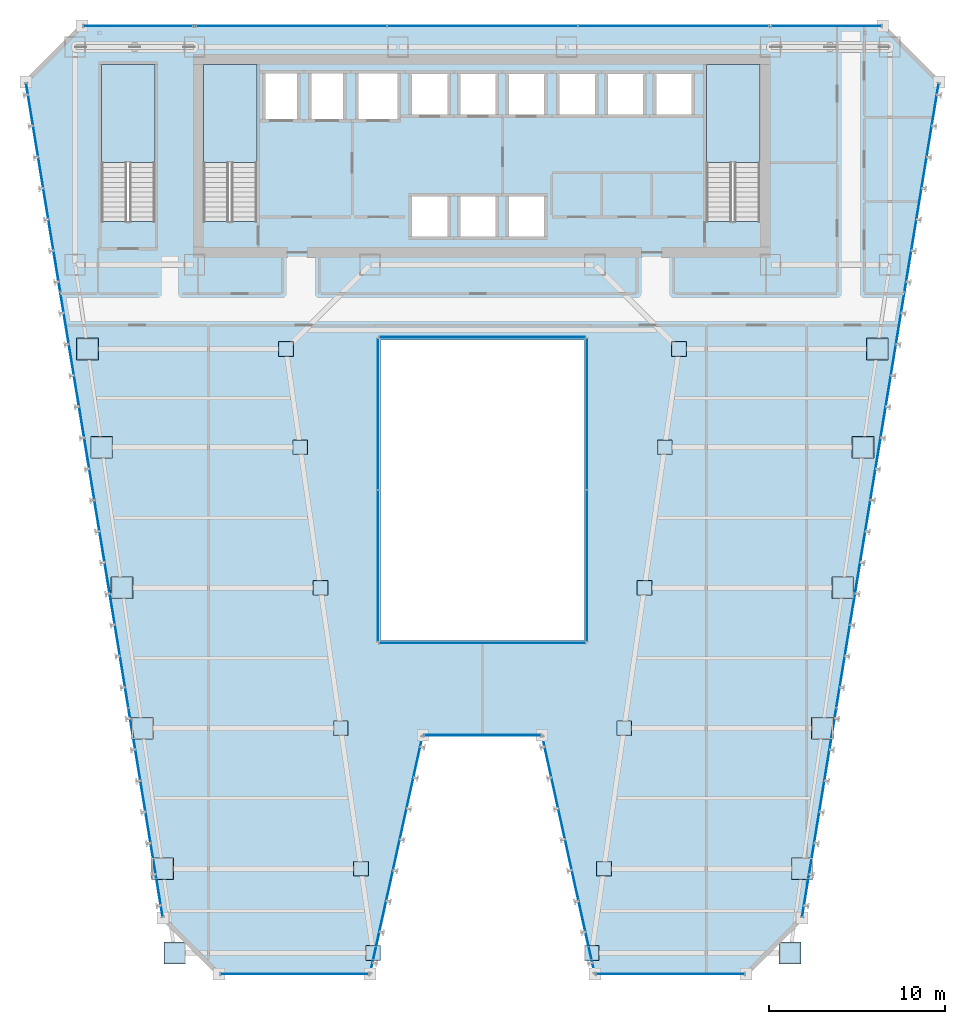
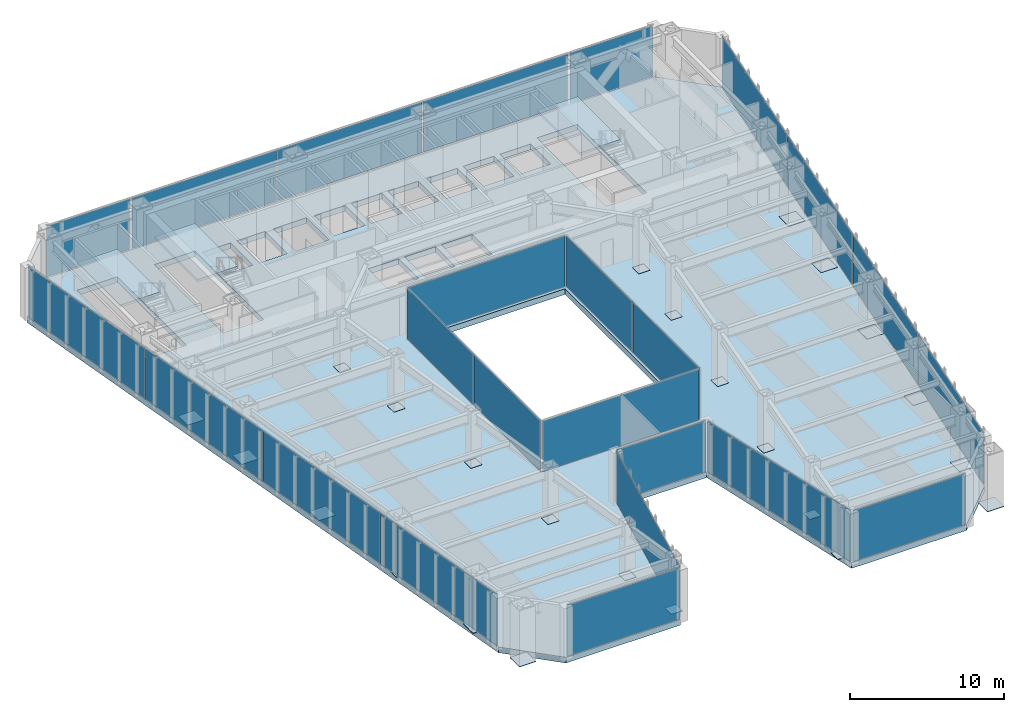
# One storey, part 34 of 49: 48 plates, 4 slabs, 17 elements without a shape of their own.
"""IFC4 building model written with IfcOpenShell, lengths in metres."""

from ifc_helpers import new_model, si_unit, direction, frame, origin, origin_2d, place, context, subcontext, project, spatial, polyline, rectangle, outline, extrude, material, layer, layer_set, type_object, element, aggregate, save


model = new_model("IFC4")

# Units and contexts
model_context = context("Model", 3, precision=1e-05, world=origin(), true_north=direction((0.0, 1.0)))
body_context = subcontext(model_context, "Body", "Model", "MODEL_VIEW")
ifc_project = project(units=[si_unit("LENGTHUNIT", "METRE"), si_unit("AREAUNIT", "SQUARE_METRE"), si_unit("VOLUMEUNIT", "CUBIC_METRE"), si_unit("PLANEANGLEUNIT", "RADIAN"), si_unit("MASSUNIT", "GRAM", prefix="KILO")], contexts=[model_context])

# Site, building, storey
site_placement = place(None, origin())
site = spatial("IfcSite", under=ifc_project, at=site_placement, CompositionType="ELEMENT")
building_placement = place(site_placement, origin())
building = spatial("IfcBuilding", under=site, at=building_placement, Name="Saevonmaru Cultural Tower", CompositionType="ELEMENT")
storey_placement = place(building_placement, frame((0.0, 0.0, 38.39990234375)))
storey = spatial("IfcBuildingStorey", under=building, at=storey_placement, Name="L07", CompositionType="ELEMENT", Elevation=38.39990234375)

# Plates
ifc_material_1 = material(Name="Steel HSA600 (600 MPa)", Category="steel")
ifc_layer_1 = layer(ifc_material_1, 0.0400390625, Name="Steel HSA600 (600 MPa)")
ifc_layer_set_1 = layer_set([ifc_layer_1], Name="Steel HSA600 (600 MPa)")
plate_type_1 = type_object("IfcPlateType", Name="PL-CAP-1200", PredefinedType="USERDEFINED", material=ifc_layer_set_1)
for number, where, z_axis, x_axis, name in (
    (1, (47.52294921875, 3.199951171875, -0.034912109375), (0.0, 0.0, 1.0), (1.0, 0.0, 0.0), "Column base cap plate TC-EO-Y032"),
    (2, (48.217041015625, 8.0, -0.034912109375), (0.0, 0.0, 1.0), (1.0, 0.0, 0.0), "Column base cap plate TC-EO-Y080"),
    (3, (49.3720703125, 16.0, -0.034912109375), (0.0, 0.0, 1.0), (1.0, 0.0, 0.0), "Column base cap plate TC-EO-Y160"),
    (4, (50.528076171875, 24.0, -0.034912109375), (0.0, 0.0, 1.0), (1.0, 0.0, 0.0), "Column base cap plate TC-EO-Y240"),
    (5, (51.68310546875, 32.0, -0.034912109375), (0.0, 0.0, 1.0), (1.0, 0.0, 0.0), "Column base cap plate TC-EO-Y320"),
    (6, (52.491943359375, 37.60009765625, -0.034912109375), (0.0, 0.0, 1.0), (1.0, 0.0, 0.0), "Column base cap plate TC-EO-Y376"),
    (7, (12.47705078125, 3.199951171875, -0.034912109375), (0.0, 0.0, 1.0), (1.0, 0.0, 0.0), "Column base cap plate TC-WO-Y032"),
    (8, (11.782958984375, 8.0, -0.034912109375), (0.0, 0.0, 1.0), (1.0, 0.0, 0.0), "Column base cap plate TC-WO-Y080"),
    (9, (10.6279296875, 16.0, -0.034912109375), (0.0, 0.0, 1.0), (1.0, 0.0, 0.0), "Column base cap plate TC-WO-Y160"),
    (10, (9.471923828125, 24.0, -0.034912109375), (0.0, 0.0, 1.0), (1.0, 0.0, 0.0), "Column base cap plate TC-WO-Y240"),
    (11, (8.31689453125, 32.0, -0.034912109375), (0.0, 0.0, 1.0), (1.0, 0.0, 0.0), "Column base cap plate TC-WO-Y320"),
    (12, (7.508056640625, 37.60009765625, -0.034912109375), (0.0, 0.0, 1.0), (1.0, 0.0, 0.0), "Column base cap plate TC-WO-Y376"),
):
    element("IfcPlate", number, at=place(storey_placement, frame(where, z_axis=z_axis, x_axis=x_axis)), inside=storey, type_object=plate_type_1, Name=name, ObjectType="CAP_PLATE", PredefinedType="USERDEFINED", context=body_context, shape_type="SweptSolid", body=[
        extrude(rectangle(XDim=1.239990234375, YDim=1.239990234375, at=origin_2d()), origin(), (0.0, 0.0, 1.0), 0.0400390625),
    ])
ifc_layer_2 = layer(ifc_material_1, 0.0400390625, Name="Steel HSA600 (600 MPa)")
ifc_layer_set_2 = layer_set([ifc_layer_2], Name="Steel HSA600 (600 MPa)")
plate_type_2 = type_object("IfcPlateType", Name="PL-CAP-800", PredefinedType="USERDEFINED", material=ifc_layer_set_2)
for number, where, z_axis, x_axis, name in (
    (13, (36.222900390625, 3.199951171875, -0.034912109375), (0.0, 0.0, 1.0), (1.0, 0.0, 0.0), "Column base cap plate TC-EI-Y032"),
    (14, (36.9169921875, 8.0, -0.034912109375), (0.0, 0.0, 1.0), (1.0, 0.0, 0.0), "Column base cap plate TC-EI-Y080"),
    (15, (38.072021484375, 16.0, -0.034912109375), (0.0, 0.0, 1.0), (1.0, 0.0, 0.0), "Column base cap plate TC-EI-Y160"),
    (16, (39.22802734375, 24.0, -0.034912109375), (0.0, 0.0, 1.0), (1.0, 0.0, 0.0), "Column base cap plate TC-EI-Y240"),
    (17, (40.383056640625, 32.0, -0.034912109375), (0.0, 0.0, 1.0), (1.0, 0.0, 0.0), "Column base cap plate TC-EI-Y320"),
    (18, (41.19189453125, 37.60009765625, -0.034912109375), (0.0, 0.0, 1.0), (1.0, 0.0, 0.0), "Column base cap plate TC-EI-Y376"),
    (19, (23.777099609375, 3.199951171875, -0.034912109375), (0.0, 0.0, 1.0), (1.0, 0.0, 0.0), "Column base cap plate TC-WI-Y032"),
    (20, (23.0830078125, 8.0, -0.034912109375), (0.0, 0.0, 1.0), (1.0, 0.0, 0.0), "Column base cap plate TC-WI-Y080"),
    (21, (21.927978515625, 16.0, -0.034912109375), (0.0, 0.0, 1.0), (1.0, 0.0, 0.0), "Column base cap plate TC-WI-Y160"),
    (22, (20.77197265625, 24.0, -0.034912109375), (0.0, 0.0, 1.0), (1.0, 0.0, 0.0), "Column base cap plate TC-WI-Y240"),
    (23, (19.616943359375, 32.0, -0.034912109375), (0.0, 0.0, 1.0), (1.0, 0.0, 0.0), "Column base cap plate TC-WI-Y320"),
    (24, (18.80810546875, 37.60009765625, -0.034912109375), (0.0, 0.0, 1.0), (1.0, 0.0, 0.0), "Column base cap plate TC-WI-Y376"),
):
    element("IfcPlate", number, at=place(storey_placement, frame(where, z_axis=z_axis, x_axis=x_axis)), inside=storey, type_object=plate_type_2, Name=name, ObjectType="CAP_PLATE", PredefinedType="USERDEFINED", context=body_context, shape_type="SweptSolid", body=[
        extrude(rectangle(XDim=0.840087890625, YDim=0.840087890625, at=origin_2d()), origin(), (0.0, 0.0, 1.0), 0.0400390625),
    ])

# Curtain wall, plate
ifc_material_2 = material(Name="Satin Bronze Anodised Aluminium", Category="aluminium")
curtain_wall_type_1 = type_object("IfcCurtainWallType", Name="CW-ATR-GLZ", PredefinedType="NOTDEFINED", material=ifc_material_2)
curtain_wall_1_placement = place(storey_placement, origin())
curtain_wall_1 = element("IfcCurtainWall", 25, at=curtain_wall_1_placement, inside=storey, type_object=curtain_wall_type_1, Name="L07 Vertical Atrium Glazed Smoke Screen 1", PredefinedType="NOTDEFINED")
ifc_material_3 = material(Name="Fire-Rated Laminated Atrium Glass", Category="glass")
ifc_layer_3 = layer(ifc_material_3, 0.031982421875, Name="Fire-Rated Laminated Atrium Glass")
ifc_layer_set_3 = layer_set([ifc_layer_3], Name="Fire-Rated Laminated Atrium Glass")
plate_type_3 = type_object("IfcPlateType", Name="PN-GLZ-ATR-INT", PredefinedType="CURTAIN_PANEL", material=ifc_layer_set_3)
plate_1_placement = place(storey_placement, frame((30.0, 20.85009765625, 0.067138671875), z_axis=(0.0, 0.0, 1.0), x_axis=(1.0, 0.0, 0.0)))
plate_1 = element("IfcPlate", 26, at=plate_1_placement, type_object=plate_type_3, Name="CW-ATR-L07-1 panel 1.1", PredefinedType="CURTAIN_PANEL", context=body_context, shape_type="SweptSolid", body=[
    extrude(rectangle(XDim=11.7109375, YDim=0.031982421875, at=origin_2d()), origin(), (0.0, 0.0, 1.0), 4.01611328125),
])
aggregate(curtain_wall_1, [plate_1])

# Curtain wall, plates
curtain_wall_2_placement = place(storey_placement, origin())
curtain_wall_2 = element("IfcCurtainWall", 27, at=curtain_wall_2_placement, inside=storey, type_object=curtain_wall_type_1, Name="L07 Vertical Atrium Glazed Smoke Screen 2", PredefinedType="NOTDEFINED")
plate_2_placement = place(storey_placement, frame((35.949951171875, 25.235107421875, 0.067138671875), z_axis=(0.0, 0.0, 1.0), x_axis=(0.0, 1.0, 0.0)))
plate_2 = element("IfcPlate", 28, at=plate_2_placement, type_object=plate_type_3, Name="CW-ATR-L07-2 panel 1.1", PredefinedType="CURTAIN_PANEL", context=body_context, shape_type="SweptSolid", body=[
    extrude(rectangle(XDim=8.5810546875, YDim=0.031982421875, at=origin_2d()), origin(), (0.0, 0.0, 1.0), 4.01611328125),
])
plate_3_placement = place(storey_placement, frame((35.949951171875, 33.885009765625, 0.067138671875), z_axis=(0.0, 0.0, 1.0), x_axis=(0.0, 1.0, 0.0)))
plate_3 = element("IfcPlate", 29, at=plate_3_placement, type_object=plate_type_3, Name="CW-ATR-L07-2 panel 2.1", PredefinedType="CURTAIN_PANEL", context=body_context, shape_type="SweptSolid", body=[
    extrude(rectangle(XDim=8.5810546875, YDim=0.031982421875, at=origin_2d()), origin(), (0.0, 0.0, 1.0), 4.01611328125),
])
aggregate(curtain_wall_2, [plate_2, plate_3])

# Curtain wall, plate
curtain_wall_3_placement = place(storey_placement, origin())
curtain_wall_3 = element("IfcCurtainWall", 30, at=curtain_wall_3_placement, inside=storey, type_object=curtain_wall_type_1, Name="L07 Vertical Atrium Glazed Smoke Screen 3", PredefinedType="NOTDEFINED")
plate_4_placement = place(storey_placement, frame((30.0, 38.27001953125, 0.067138671875), z_axis=(0.0, 0.0, 1.0), x_axis=(-1.0, 0.0, 0.0)))
plate_4 = element("IfcPlate", 31, at=plate_4_placement, type_object=plate_type_3, Name="CW-ATR-L07-3 panel 1.1", PredefinedType="CURTAIN_PANEL", context=body_context, shape_type="SweptSolid", body=[
    extrude(rectangle(XDim=11.7109375, YDim=0.031982421875, at=origin_2d()), origin(), (0.0, 0.0, 1.0), 4.01611328125),
])
aggregate(curtain_wall_3, [plate_4])

# Curtain wall, plates
curtain_wall_4_placement = place(storey_placement, origin())
curtain_wall_4 = element("IfcCurtainWall", 32, at=curtain_wall_4_placement, inside=storey, type_object=curtain_wall_type_1, Name="L07 Vertical Atrium Glazed Smoke Screen 4", PredefinedType="NOTDEFINED")
plate_5_placement = place(storey_placement, frame((24.050048828125, 33.885009765625, 0.067138671875), z_axis=(0.0, 0.0, 1.0), x_axis=(0.0, -1.0, 0.0)))
plate_5 = element("IfcPlate", 33, at=plate_5_placement, type_object=plate_type_3, Name="CW-ATR-L07-4 panel 1.1", PredefinedType="CURTAIN_PANEL", context=body_context, shape_type="SweptSolid", body=[
    extrude(rectangle(XDim=8.5810546875, YDim=0.031982421875, at=origin_2d()), origin(), (0.0, 0.0, 1.0), 4.01611328125),
])
plate_6_placement = place(storey_placement, frame((24.050048828125, 25.235107421875, 0.067138671875), z_axis=(0.0, 0.0, 1.0), x_axis=(0.0, -1.0, 0.0)))
plate_6 = element("IfcPlate", 34, at=plate_6_placement, type_object=plate_type_3, Name="CW-ATR-L07-4 panel 2.1", PredefinedType="CURTAIN_PANEL", context=body_context, shape_type="SweptSolid", body=[
    extrude(rectangle(XDim=8.5810546875, YDim=0.031982421875, at=origin_2d()), origin(), (0.0, 0.0, 1.0), 4.01611328125),
])
aggregate(curtain_wall_4, [plate_5, plate_6])

# Curtain wall, plate
curtain_wall_type_2 = type_object("IfcCurtainWallType", Name="CW-TYP-A", PredefinedType="NOTDEFINED", material=ifc_material_2)
curtain_wall_5_placement = place(storey_placement, origin())
curtain_wall_5 = element("IfcCurtainWall", 35, at=curtain_wall_5_placement, inside=storey, type_object=curtain_wall_type_2, Name="L07 Unitised Curtain Wall E2", PredefinedType="NOTDEFINED")
ifc_material_4 = material(Name="Triple Silver Low-E Insulating Glass", Category="glass")
ifc_layer_4 = layer(ifc_material_4, 0.035888671875, Name="Triple Silver Low-E Insulating Glass")
ifc_layer_set_4 = layer_set([ifc_layer_4], Name="Triple Silver Low-E Insulating Glass")
plate_type_4 = type_object("IfcPlateType", Name="PN-GLZ-IGU", PredefinedType="CURTAIN_PANEL", material=ifc_layer_set_4)
plate_7_placement = place(storey_placement, frame((19.300048828125, 2.0, 0.067138671875), z_axis=(0.0, 0.0, 1.0), x_axis=(1.0, 0.0, 0.0)))
plate_7 = element("IfcPlate", 36, at=plate_7_placement, type_object=plate_type_4, Name="CW-TW-L07-E2 panel 1.1", PredefinedType="CURTAIN_PANEL", context=body_context, shape_type="SweptSolid", body=[
    extrude(rectangle(XDim=8.410888671875, YDim=0.035888671875, at=origin_2d()), origin(), (0.0, 0.0, 1.0), 4.01611328125),
])
aggregate(curtain_wall_5, [plate_7])

curtain_wall_6_placement = place(storey_placement, origin())
curtain_wall_6 = element("IfcCurtainWall", 37, at=curtain_wall_6_placement, inside=storey, type_object=curtain_wall_type_2, Name="L07 Unitised Curtain Wall E3", PredefinedType="NOTDEFINED")
plate_8_placement = place(storey_placement, frame((25.10009765625, 8.800048828125, 0.067138671875), z_axis=(0.0, 0.0, 1.0), x_axis=(0.215413319953, 0.976522965212, 0.0)))
plate_8 = element("IfcPlate", 38, at=plate_8_placement, type_object=plate_type_4, Name="CW-TW-L07-E3 panel 1.1", PredefinedType="CURTAIN_PANEL", context=body_context, shape_type="SweptSolid", body=[
    extrude(rectangle(XDim=13.738037109375, YDim=0.035888671875, at=origin_2d()), origin(), (0.0, 0.0, 1.0), 4.01611328125),
])
aggregate(curtain_wall_6, [plate_8])

curtain_wall_7_placement = place(storey_placement, origin())
curtain_wall_7 = element("IfcCurtainWall", 39, at=curtain_wall_7_placement, inside=storey, type_object=curtain_wall_type_2, Name="L07 Unitised Curtain Wall E4", PredefinedType="NOTDEFINED")
plate_9_placement = place(storey_placement, frame((30.0, 15.60009765625, 0.067138671875), z_axis=(0.0, 0.0, 1.0), x_axis=(1.0, 0.0, 0.0)))
plate_9 = element("IfcPlate", 40, at=plate_9_placement, type_object=plate_type_4, Name="CW-TW-L07-E4 panel 1.1", PredefinedType="CURTAIN_PANEL", context=body_context, shape_type="SweptSolid", body=[
    extrude(rectangle(XDim=6.611083984375, YDim=0.035888671875, at=origin_2d()), origin(), (0.0, 0.0, 1.0), 4.01611328125),
])
aggregate(curtain_wall_7, [plate_9])

curtain_wall_8_placement = place(storey_placement, origin())
curtain_wall_8 = element("IfcCurtainWall", 41, at=curtain_wall_8_placement, inside=storey, type_object=curtain_wall_type_2, Name="L07 Unitised Curtain Wall E5", PredefinedType="NOTDEFINED")
plate_10_placement = place(storey_placement, frame((34.89990234375, 8.800048828125, 0.067138671875), z_axis=(0.0, 0.0, 1.0), x_axis=(0.215413319953, -0.976522965212, 0.0)))
plate_10 = element("IfcPlate", 42, at=plate_10_placement, type_object=plate_type_4, Name="CW-TW-L07-E5 panel 1.1", PredefinedType="CURTAIN_PANEL", context=body_context, shape_type="SweptSolid", body=[
    extrude(rectangle(XDim=13.738037109375, YDim=0.035888671875, at=origin_2d()), origin(), (0.0, 0.0, 1.0), 4.01611328125),
])
aggregate(curtain_wall_8, [plate_10])

curtain_wall_9_placement = place(storey_placement, origin())
curtain_wall_9 = element("IfcCurtainWall", 43, at=curtain_wall_9_placement, inside=storey, type_object=curtain_wall_type_2, Name="L07 Unitised Curtain Wall E6", PredefinedType="NOTDEFINED")
plate_11_placement = place(storey_placement, frame((40.699951171875, 2.0, 0.067138671875), z_axis=(0.0, 0.0, 1.0), x_axis=(1.0, 0.0, 0.0)))
plate_11 = element("IfcPlate", 44, at=plate_11_placement, type_object=plate_type_4, Name="CW-TW-L07-E6 panel 1.1", PredefinedType="CURTAIN_PANEL", context=body_context, shape_type="SweptSolid", body=[
    extrude(rectangle(XDim=8.410888671875, YDim=0.035888671875, at=origin_2d()), origin(), (0.0, 0.0, 1.0), 4.01611328125),
])
aggregate(curtain_wall_9, [plate_11])

# Curtain wall, plates
curtain_wall_10_placement = place(storey_placement, origin())
curtain_wall_10 = element("IfcCurtainWall", 45, at=curtain_wall_10_placement, inside=storey, type_object=curtain_wall_type_2, Name="L07 Unitised Curtain Wall E8", PredefinedType="NOTDEFINED")
plate_12_placement = place(storey_placement, frame((49.182373046875, 11.1943359375, 0.067138671875), z_axis=(0.0, 0.0, 1.0), x_axis=(0.161708868641, 0.986838508472, 0.0)))
plate_12 = element("IfcPlate", 46, at=plate_12_placement, type_object=plate_type_4, Name="CW-TW-L07-E8 panel 1.1", PredefinedType="CURTAIN_PANEL", context=body_context, shape_type="SweptSolid", body=[
    extrude(rectangle(XDim=11.959716796875, YDim=0.035888671875, at=origin_2d()), origin(), (0.0, 0.0, 1.0), 4.01611328125),
])
plate_13_placement = place(storey_placement, frame((51.12744140625, 23.064697265625, 0.067138671875), z_axis=(0.0, 0.0, 1.0), x_axis=(0.161708868641, 0.986838508472, 0.0)))
plate_13 = element("IfcPlate", 47, at=plate_13_placement, type_object=plate_type_4, Name="CW-TW-L07-E8 panel 2.1", PredefinedType="CURTAIN_PANEL", context=body_context, shape_type="SweptSolid", body=[
    extrude(rectangle(XDim=11.959716796875, YDim=0.035888671875, at=origin_2d()), origin(), (0.0, 0.0, 1.0), 4.01611328125),
])
plate_14_placement = place(storey_placement, frame((53.072509765625, 34.935302734375, 0.067138671875), z_axis=(0.0, 0.0, 1.0), x_axis=(0.161708868641, 0.986838508472, 0.0)))
plate_14 = element("IfcPlate", 48, at=plate_14_placement, type_object=plate_type_4, Name="CW-TW-L07-E8 panel 3.1", PredefinedType="CURTAIN_PANEL", context=body_context, shape_type="SweptSolid", body=[
    extrude(rectangle(XDim=11.959716796875, YDim=0.035888671875, at=origin_2d()), origin(), (0.0, 0.0, 1.0), 4.01611328125),
])
plate_15_placement = place(storey_placement, frame((55.017822265625, 46.8056640625, 0.067138671875), z_axis=(0.0, 0.0, 1.0), x_axis=(0.161708868641, 0.986838508472, 0.0)))
plate_15 = element("IfcPlate", 49, at=plate_15_placement, type_object=plate_type_4, Name="CW-TW-L07-E8 panel 4.1", PredefinedType="CURTAIN_PANEL", context=body_context, shape_type="SweptSolid", body=[
    extrude(rectangle(XDim=11.959716796875, YDim=0.035888671875, at=origin_2d()), origin(), (0.0, 0.0, 1.0), 4.01611328125),
])
aggregate(curtain_wall_10, [plate_12, plate_13, plate_14, plate_15])

curtain_wall_11_placement = place(storey_placement, origin())
curtain_wall_11 = element("IfcCurtainWall", 50, at=curtain_wall_11_placement, inside=storey, type_object=curtain_wall_type_2, Name="L07 North Spine Unitised Curtain Wall E10B", PredefinedType="NOTDEFINED")
plate_16_placement = place(storey_placement, frame((40.893310546875, 56.0, 0.067138671875), z_axis=(0.0, 0.0, 1.0), x_axis=(-1.0, 0.0, 0.0)))
plate_16 = element("IfcPlate", 51, at=plate_16_placement, type_object=plate_type_4, Name="CW-TW-L07-E10B panel 1.1", PredefinedType="CURTAIN_PANEL", context=body_context, shape_type="SweptSolid", body=[
    extrude(rectangle(XDim=10.82421875, YDim=0.035888671875, at=origin_2d()), origin(), (0.0, 0.0, 1.0), 4.01611328125),
])
plate_17_placement = place(storey_placement, frame((30.0, 56.0, 0.067138671875), z_axis=(0.0, 0.0, 1.0), x_axis=(-1.0, 0.0, 0.0)))
plate_17 = element("IfcPlate", 52, at=plate_17_placement, type_object=plate_type_4, Name="CW-TW-L07-E10B panel 2.1", PredefinedType="CURTAIN_PANEL", context=body_context, shape_type="SweptSolid", body=[
    extrude(rectangle(XDim=10.82421875, YDim=0.035888671875, at=origin_2d()), origin(), (0.0, 0.0, 1.0), 4.01611328125),
])
plate_18_placement = place(storey_placement, frame((19.106689453125, 56.0, 0.067138671875), z_axis=(0.0, 0.0, 1.0), x_axis=(-1.0, 0.0, 0.0)))
plate_18 = element("IfcPlate", 53, at=plate_18_placement, type_object=plate_type_4, Name="CW-TW-L07-E10B panel 3.1", PredefinedType="CURTAIN_PANEL", context=body_context, shape_type="SweptSolid", body=[
    extrude(rectangle(XDim=10.82421875, YDim=0.035888671875, at=origin_2d()), origin(), (0.0, 0.0, 1.0), 4.01611328125),
])
aggregate(curtain_wall_11, [plate_16, plate_17, plate_18])

curtain_wall_12_placement = place(storey_placement, origin())
curtain_wall_12 = element("IfcCurtainWall", 54, at=curtain_wall_12_placement, inside=storey, type_object=curtain_wall_type_2, Name="L07 Unitised Curtain Wall E12", PredefinedType="NOTDEFINED")
plate_19_placement = place(storey_placement, frame((4.982177734375, 46.8056640625, 0.067138671875), z_axis=(0.0, 0.0, 1.0), x_axis=(0.161708868641, -0.986838508472, 0.0)))
plate_19 = element("IfcPlate", 55, at=plate_19_placement, type_object=plate_type_4, Name="CW-TW-L07-E12 panel 1.1", PredefinedType="CURTAIN_PANEL", context=body_context, shape_type="SweptSolid", body=[
    extrude(rectangle(XDim=11.959716796875, YDim=0.035888671875, at=origin_2d()), origin(), (0.0, 0.0, 1.0), 4.01611328125),
])
plate_20_placement = place(storey_placement, frame((6.927490234375, 34.935302734375, 0.067138671875), z_axis=(0.0, 0.0, 1.0), x_axis=(0.161708868641, -0.986838508472, 0.0)))
plate_20 = element("IfcPlate", 56, at=plate_20_placement, type_object=plate_type_4, Name="CW-TW-L07-E12 panel 2.1", PredefinedType="CURTAIN_PANEL", context=body_context, shape_type="SweptSolid", body=[
    extrude(rectangle(XDim=11.959716796875, YDim=0.035888671875, at=origin_2d()), origin(), (0.0, 0.0, 1.0), 4.01611328125),
])
plate_21_placement = place(storey_placement, frame((8.87255859375, 23.064697265625, 0.067138671875), z_axis=(0.0, 0.0, 1.0), x_axis=(0.161708868641, -0.986838508472, 0.0)))
plate_21 = element("IfcPlate", 57, at=plate_21_placement, type_object=plate_type_4, Name="CW-TW-L07-E12 panel 3.1", PredefinedType="CURTAIN_PANEL", context=body_context, shape_type="SweptSolid", body=[
    extrude(rectangle(XDim=11.959716796875, YDim=0.035888671875, at=origin_2d()), origin(), (0.0, 0.0, 1.0), 4.01611328125),
])
plate_22_placement = place(storey_placement, frame((10.817626953125, 11.1943359375, 0.067138671875), z_axis=(0.0, 0.0, 1.0), x_axis=(0.161708868641, -0.986838508472, 0.0)))
plate_22 = element("IfcPlate", 58, at=plate_22_placement, type_object=plate_type_4, Name="CW-TW-L07-E12 panel 4.1", PredefinedType="CURTAIN_PANEL", context=body_context, shape_type="SweptSolid", body=[
    extrude(rectangle(XDim=11.959716796875, YDim=0.035888671875, at=origin_2d()), origin(), (0.0, 0.0, 1.0), 4.01611328125),
])
aggregate(curtain_wall_12, [plate_19, plate_20, plate_21, plate_22])

# Curtain wall, plate
curtain_wall_13_placement = place(storey_placement, origin())
curtain_wall_13 = element("IfcCurtainWall", 59, at=curtain_wall_13_placement, inside=storey, type_object=curtain_wall_type_2, Name="L07 East Braced Bay Spandrel Curtain Wall E10A", PredefinedType="NOTDEFINED")
ifc_material_5 = material(Name="Insulated Satin Bronze Aluminium Spandrel Panel", Category="aluminium")
ifc_layer_5 = layer(ifc_material_5, 0.0400390625, Name="Insulated Satin Bronze Aluminium Spandrel Panel")
ifc_layer_set_5 = layer_set([ifc_layer_5], Name="Insulated Satin Bronze Aluminium Spandrel Panel")
plate_type_5 = type_object("IfcPlateType", Name="PN-SPANDREL-BRONZE", PredefinedType="CURTAIN_PANEL", material=ifc_layer_set_5)
plate_23_placement = place(storey_placement, frame((49.60009765625, 56.0, 0.067138671875), z_axis=(0.0, 0.0, 1.0), x_axis=(-1.0, 0.0, 0.0)))
plate_23 = element("IfcPlate", 60, at=plate_23_placement, type_object=plate_type_5, Name="CW-TW-L07-E10A panel 1.1", PredefinedType="CURTAIN_PANEL", context=body_context, shape_type="SweptSolid", body=[
    extrude(rectangle(XDim=6.2109375, YDim=0.035888671875, at=origin_2d()), origin(), (0.0, 0.0, 1.0), 4.01611328125),
])
aggregate(curtain_wall_13, [plate_23])

curtain_wall_14_placement = place(storey_placement, origin())
curtain_wall_14 = element("IfcCurtainWall", 61, at=curtain_wall_14_placement, inside=storey, type_object=curtain_wall_type_2, Name="L07 West Braced Bay Spandrel Curtain Wall E10C", PredefinedType="NOTDEFINED")
plate_24_placement = place(storey_placement, frame((10.39990234375, 56.0, 0.067138671875), z_axis=(0.0, 0.0, 1.0), x_axis=(-1.0, 0.0, 0.0)))
plate_24 = element("IfcPlate", 62, at=plate_24_placement, type_object=plate_type_5, Name="CW-TW-L07-E10C panel 1.1", PredefinedType="CURTAIN_PANEL", context=body_context, shape_type="SweptSolid", body=[
    extrude(rectangle(XDim=6.2109375, YDim=0.035888671875, at=origin_2d()), origin(), (0.0, 0.0, 1.0), 4.01611328125),
])
aggregate(curtain_wall_14, [plate_24])

# Slab
ifc_material_6 = material(Name="Concrete C50/60", Category="concrete")
ifc_layer_6 = layer(ifc_material_6, 0.449951171875, Name="Concrete C50/60")
ifc_layer_set_6 = layer_set([ifc_layer_6], Name="Concrete C50/60")
slab_type_1 = type_object("IfcSlabType", Name="SL-FLR-450", PredefinedType="FLOOR", material=ifc_layer_set_6)
slab_1_placement = place(storey_placement, frame((0.0, 0.0, -0.449951171875)))
element("IfcSlab", 63, at=slab_1_placement, inside=storey, type_object=slab_type_1, Name="L07 Tower Structural Floor Slab", PredefinedType="FLOOR", context=body_context, shape_type="SweptSolid", body=[
    extrude(outline(polyline([(11.800048828125, 5.199951171875), (15.0, 2.0), (23.60009765625, 2.0), (26.60009765625, 15.60009765625), (33.39990234375, 15.60009765625), (36.39990234375, 2.0), (45.0, 2.0), (48.199951171875, 5.199951171875), (56.0, 52.800048828125), (52.800048828125, 56.0), (7.199951171875, 56.0), (4.0, 52.800048828125), (11.800048828125, 5.199951171875)]), holes=[polyline([(45.800048828125, 44.875), (42.75, 44.875), (42.75, 53.800048828125), (45.800048828125, 53.800048828125), (45.800048828125, 44.875)]), polyline([(39.75, 50.800048828125), (39.75, 53.39990234375), (42.050048828125, 53.39990234375), (42.050048828125, 50.800048828125), (39.75, 50.800048828125)]), polyline([(37.0, 50.800048828125), (37.0, 53.39990234375), (39.300048828125, 53.39990234375), (39.300048828125, 50.800048828125), (37.0, 50.800048828125)]), polyline([(34.25, 50.800048828125), (34.25, 53.39990234375), (36.550048828125, 53.39990234375), (36.550048828125, 50.800048828125), (34.25, 50.800048828125)]), polyline([(24.199951171875, 21.0), (24.199951171875, 38.1201171875), (35.800048828125, 38.1201171875), (35.800048828125, 21.0), (24.199951171875, 21.0)]), polyline([(31.35009765625, 50.800048828125), (31.35009765625, 53.39990234375), (33.64990234375, 53.39990234375), (33.64990234375, 50.800048828125), (31.35009765625, 50.800048828125)]), polyline([(31.35009765625, 43.85009765625), (31.35009765625, 46.449951171875), (33.64990234375, 46.449951171875), (33.64990234375, 43.85009765625), (31.35009765625, 43.85009765625)]), polyline([(28.60009765625, 43.85009765625), (28.60009765625, 46.449951171875), (30.89990234375, 46.449951171875), (30.89990234375, 43.85009765625), (28.60009765625, 43.85009765625)]), polyline([(28.60009765625, 50.800048828125), (28.60009765625, 53.39990234375), (30.89990234375, 53.39990234375), (30.89990234375, 50.800048828125), (28.60009765625, 50.800048828125)]), polyline([(25.85009765625, 50.800048828125), (25.85009765625, 53.39990234375), (28.14990234375, 53.39990234375), (28.14990234375, 50.800048828125), (25.85009765625, 50.800048828125)]), polyline([(25.85009765625, 43.85009765625), (25.85009765625, 46.449951171875), (28.14990234375, 46.449951171875), (28.14990234375, 43.85009765625), (25.85009765625, 43.85009765625)]), polyline([(22.800048828125, 50.550048828125), (22.800048828125, 53.449951171875), (25.300048828125, 53.449951171875), (25.300048828125, 50.550048828125), (22.800048828125, 50.550048828125)]), polyline([(20.10009765625, 50.550048828125), (20.10009765625, 53.449951171875), (22.199951171875, 53.449951171875), (22.199951171875, 50.550048828125), (20.10009765625, 50.550048828125)]), polyline([(17.5, 50.550048828125), (17.5, 53.449951171875), (19.60009765625, 53.449951171875), (19.60009765625, 50.550048828125), (17.5, 50.550048828125)]), polyline([(17.14990234375, 44.875), (14.10009765625, 44.875), (14.10009765625, 53.800048828125), (17.14990234375, 53.800048828125), (17.14990234375, 44.875)]), polyline([(11.35009765625, 44.875), (8.300048828125, 44.875), (8.300048828125, 53.800048828125), (11.35009765625, 53.800048828125), (11.35009765625, 44.875)])]), origin(), (0.0, 0.0, 1.0), 0.449951171875),
])

# Stair, slab
ifc_material_7 = material(Name="Concrete C40/50", Category="concrete")
stair_type = type_object("IfcStairType", Name="STR-DOGLEG-RC", PredefinedType="HALF_TURN_STAIR", material=ifc_material_7)
stair_1_placement = place(storey_placement, origin())
stair_1 = element("IfcStair", 64, at=stair_1_placement, inside=storey, type_object=stair_type, Name="L07 Protected exit stair ST-1", PredefinedType="HALF_TURN_STAIR")
ifc_layer_7 = layer(ifc_material_7, 0.199951171875, Name="Concrete C40/50")
ifc_layer_set_7 = layer_set([ifc_layer_7], Name="Concrete C40/50")
slab_type_2 = type_object("IfcSlabType", Name="SL-STAIR-LANDING", PredefinedType="LANDING", material=ifc_layer_set_7)
slab_2_placement = place(storey_placement, frame((0.0, 0.0, 2.0)))
slab_2 = element("IfcSlab", 65, at=slab_2_placement, type_object=slab_type_2, Name="ST-1-L07 landing 1", PredefinedType="LANDING", context=body_context, shape_type="SweptSolid", body=[
    extrude(outline(polyline([(17.14990234375, 48.2099609375), (17.14990234375, 53.800048828125), (14.10009765625, 53.800048828125), (14.10009765625, 48.2099609375), (17.14990234375, 48.2099609375)])), origin(), (0.0, 0.0, 1.0), 0.2001953125),
])
aggregate(stair_1, [slab_2])

stair_2_placement = place(storey_placement, origin())
stair_2 = element("IfcStair", 66, at=stair_2_placement, inside=storey, type_object=stair_type, Name="L07 Protected exit stair ST-2", PredefinedType="HALF_TURN_STAIR")
slab_3_placement = place(storey_placement, frame((0.0, 0.0, 2.0)))
slab_3 = element("IfcSlab", 67, at=slab_3_placement, type_object=slab_type_2, Name="ST-2-L07 landing 1", PredefinedType="LANDING", context=body_context, shape_type="SweptSolid", body=[
    extrude(outline(polyline([(45.800048828125, 48.2099609375), (45.800048828125, 53.800048828125), (42.75, 53.800048828125), (42.75, 48.2099609375), (45.800048828125, 48.2099609375)])), origin(), (0.0, 0.0, 1.0), 0.2001953125),
])
aggregate(stair_2, [slab_3])

stair_3_placement = place(storey_placement, origin())
stair_3 = element("IfcStair", 68, at=stair_3_placement, inside=storey, type_object=stair_type, Name="L07 Protected exit stair ST-3", PredefinedType="HALF_TURN_STAIR")
slab_4_placement = place(storey_placement, frame((0.0, 0.0, 2.0)))
slab_4 = element("IfcSlab", 69, at=slab_4_placement, type_object=slab_type_2, Name="ST-3-L07 landing 1", PredefinedType="LANDING", context=body_context, shape_type="SweptSolid", body=[
    extrude(outline(polyline([(11.35009765625, 48.2099609375), (11.35009765625, 53.800048828125), (8.300048828125, 53.800048828125), (8.300048828125, 48.2099609375), (11.35009765625, 48.2099609375)])), origin(), (0.0, 0.0, 1.0), 0.2001953125),
])
aggregate(stair_3, [slab_4])

save(model, "model.ifc")
